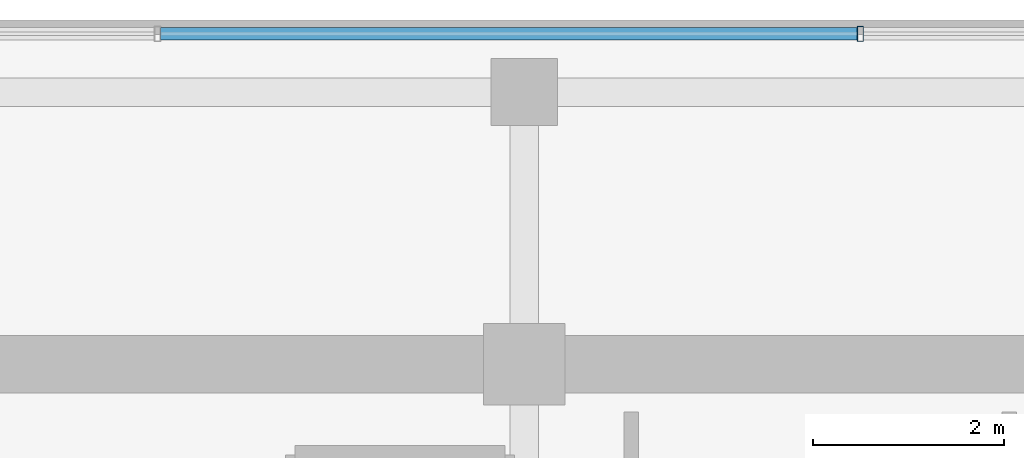
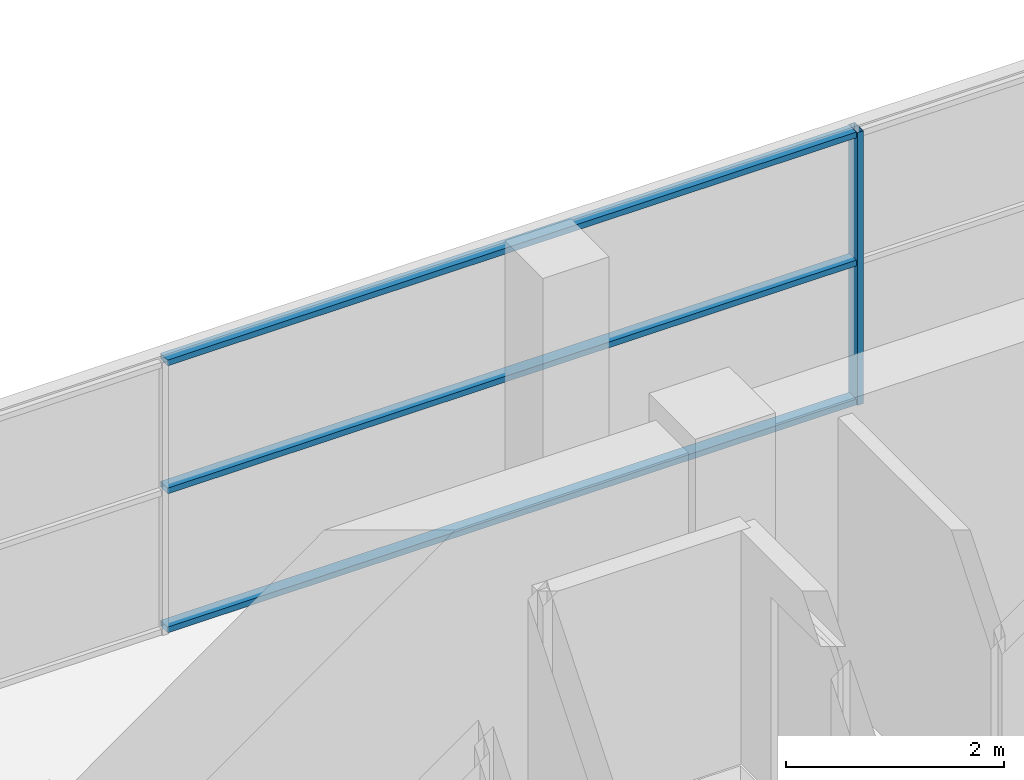
# One storey, part 17 of 28: 4 members, 1 element without a shape of its own.
"""IFC4 building model written with IfcOpenShell, lengths in metres."""

from ifc_helpers import new_model, si_unit, direction, frame, origin, origin_2d, place, context, subcontext, project, spatial, hollow_rectangle, extrude, source, transform, mapped, material, layer, layer_set, material_profile, profile_set, type_object, element, aggregate, save


model = new_model("IFC4")

# Units and contexts
model_context = context("Model", 3, precision=1e-05, world=origin(), true_north=direction((0.0, 1.0)))
body_context = subcontext(model_context, "Body", "Model", "MODEL_VIEW")
ifc_project = project(units=[si_unit("LENGTHUNIT", "METRE"), si_unit("AREAUNIT", "SQUARE_METRE"), si_unit("VOLUMEUNIT", "CUBIC_METRE"), si_unit("PLANEANGLEUNIT", "RADIAN"), si_unit("MASSUNIT", "GRAM", prefix="KILO")], contexts=[model_context])

# Site, building, storey
site_placement = place(None, origin())
site = spatial("IfcSite", under=ifc_project, at=site_placement, CompositionType="ELEMENT")
building_placement = place(site_placement, origin())
building = spatial("IfcBuilding", under=site, at=building_placement, Name="Zarnakvel Exchange Tower", CompositionType="ELEMENT")
storey_placement = place(building_placement, frame((0.0, 0.0, 261.699951171875)))
storey = spatial("IfcBuildingStorey", under=building, at=storey_placement, Name="L74", CompositionType="ELEMENT", Elevation=261.699951171875)

# Curtain wall, members
ifc_material = material(Name="Architectural Bronze Anodised Aluminium", Category="aluminium")
ifc_layer = layer(ifc_material, 0.159912109375)
ifc_layer_set = layer_set([ifc_layer], Name="Architectural Bronze Anodised Aluminium")
curtain_wall_type = type_object("IfcCurtainWallType", Name="CW-06", PredefinedType="NOTDEFINED", material=ifc_layer_set)
curtain_wall_placement = place(storey_placement, origin())
curtain_wall = element("IfcCurtainWall", 1, at=curtain_wall_placement, inside=storey, type_object=curtain_wall_type, Name="L74 Curtain Wall CW-L74-N1 (CW-06)", PredefinedType="NOTDEFINED")
ifc_material_profile_1 = material_profile(ifc_material, hollow_rectangle(XDim=0.1298828125, YDim=0.06494140625, WallThickness=0.00390625, at=origin_2d()))
ifc_profile_set_1 = profile_set([ifc_material_profile_1], Name="Architectural Bronze Anodised Aluminium")
member_type_1 = type_object("IfcMemberType", Name="CWT-06", PredefinedType="USERDEFINED", material=ifc_profile_set_1)
shared_shape_1 = source(origin(), body_context, "Body", "SweptSolid", [
    extrude(hollow_rectangle(XDim=0.1298828125, YDim=0.06494140625, WallThickness=0.00390625, at=origin_2d()), origin(), (0.0, 0.0, 1.0), 7.295166015625),
])
member_1_placement = place(storey_placement, frame((-11.007568359375, 16.9599609375, 0.032470703125), z_axis=(1.0, 0.0, 0.0), x_axis=(0.0, 1.0, 0.0)))
member_1 = element("IfcMember", 2, at=member_1_placement, type_object=member_type_1, Name="CW-06 transom 2.1", ObjectType="TRANSOM", PredefinedType="USERDEFINED", context=body_context, shape_type="MappedRepresentation", body=[
    mapped(shared_shape_1, transform((0.0, 0.0, 0.0), x_axis=(1.0, 0.0, 0.0), y_axis=(0.0, 1.0, 0.0), z_axis=(0.0, 0.0, 1.0), scale=1.0)),
])
member_2_placement = place(storey_placement, frame((-11.007568359375, 16.9599609375, 1.588623046875), z_axis=(1.0, 0.0, 0.0), x_axis=(0.0, 1.0, 0.0)))
member_2 = element("IfcMember", 3, at=member_2_placement, type_object=member_type_1, Name="CW-06 transom 2.2", ObjectType="TRANSOM", PredefinedType="USERDEFINED", context=body_context, shape_type="MappedRepresentation", body=[
    mapped(shared_shape_1, transform((0.0, 0.0, 0.0), x_axis=(1.0, 0.0, 0.0), y_axis=(0.0, 1.0, 0.0), z_axis=(0.0, 0.0, 1.0), scale=1.0)),
])
member_3_placement = place(storey_placement, frame((-11.007568359375, 16.9599609375, 3.0224609375), z_axis=(1.0, 0.0, 0.0), x_axis=(0.0, 1.0, 0.0)))
member_3 = element("IfcMember", 4, at=member_3_placement, type_object=member_type_1, Name="CW-06 transom 2.3", ObjectType="TRANSOM", PredefinedType="USERDEFINED", context=body_context, shape_type="MappedRepresentation", body=[
    mapped(shared_shape_1, transform((0.0, 0.0, 0.0), x_axis=(1.0, 0.0, 0.0), y_axis=(0.0, 1.0, 0.0), z_axis=(0.0, 0.0, 1.0), scale=1.0)),
])
ifc_material_profile_2 = material_profile(ifc_material, hollow_rectangle(XDim=0.159912109375, YDim=0.06494140625, WallThickness=0.00390625, at=origin_2d()))
ifc_profile_set_2 = profile_set([ifc_material_profile_2], Name="Architectural Bronze Anodised Aluminium")
member_type_2 = type_object("IfcMemberType", Name="CWM-06", PredefinedType="MULLION", material=ifc_profile_set_2)
shared_shape_2 = source(origin(), body_context, "Body", "SweptSolid", [
    extrude(hollow_rectangle(XDim=0.159912109375, YDim=0.06494140625, WallThickness=0.00390625, at=origin_2d()), origin(), (0.0, 0.0, 1.0), 3.054931640625),
])
member_4_placement = place(storey_placement, frame((-3.679931640625, 16.9599609375, 0.0), z_axis=(0.0, 0.0, 1.0), x_axis=(0.0, 1.0, 0.0)))
member_4 = element("IfcMember", 5, at=member_4_placement, type_object=member_type_2, Name="CW-06 mullion 3", PredefinedType="MULLION", context=body_context, shape_type="MappedRepresentation", body=[
    mapped(shared_shape_2, transform((0.0, 0.0, 0.0), x_axis=(1.0, 0.0, 0.0), y_axis=(0.0, 1.0, 0.0), z_axis=(0.0, 0.0, 1.0), scale=1.0)),
])
aggregate(curtain_wall, [member_4, member_1, member_2, member_3])

save(model, "model.ifc")
